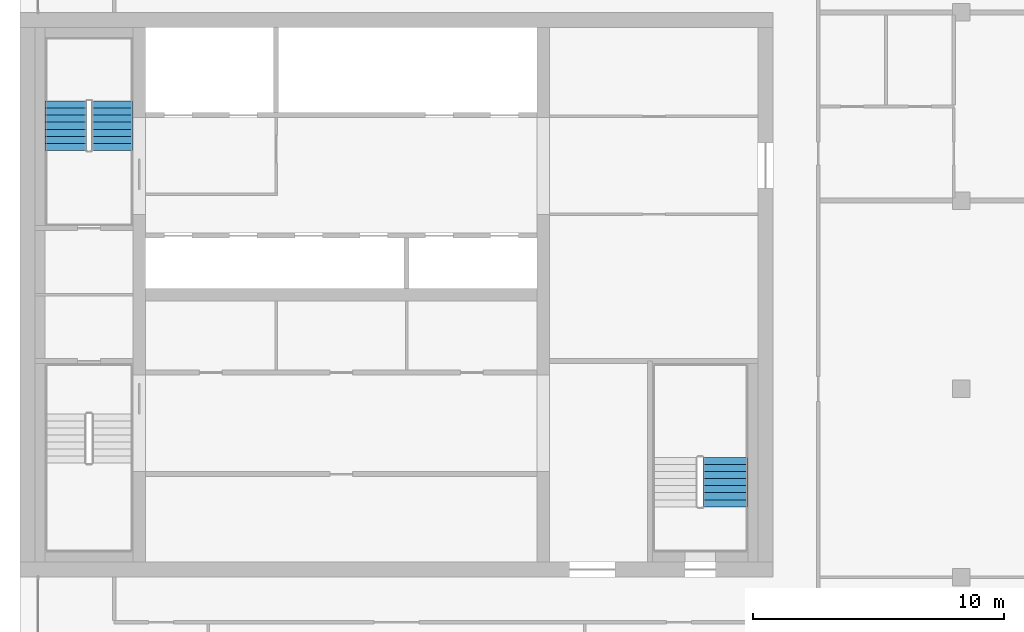
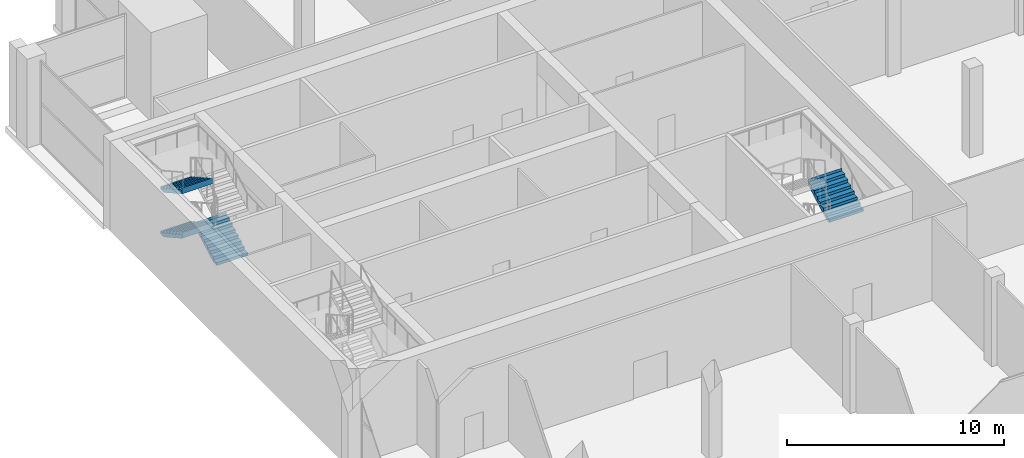
# One storey, part 12 of 15: 4 stair flights, 2 elements without a shape of their own.
"""IFC4 building model written with IfcOpenShell, lengths in metres."""

from ifc_helpers import new_model, si_unit, direction, frame, origin, place, context, subcontext, project, spatial, polyline, outline, extrude, material, type_object, element, aggregate, save


model = new_model("IFC4")

# Units and contexts
model_context = context("Model", 3, precision=1e-05, world=origin(), true_north=direction((0.0, 1.0)))
body_context = subcontext(model_context, "Body", "Model", "MODEL_VIEW")
ifc_project = project(units=[si_unit("LENGTHUNIT", "METRE"), si_unit("AREAUNIT", "SQUARE_METRE"), si_unit("VOLUMEUNIT", "CUBIC_METRE"), si_unit("PLANEANGLEUNIT", "RADIAN"), si_unit("MASSUNIT", "GRAM", prefix="KILO")], contexts=[model_context])

# Site, building, storey
site_placement = place(None, origin())
site = spatial("IfcSite", under=ifc_project, at=site_placement, CompositionType="ELEMENT")
building_placement = place(site_placement, origin())
building = spatial("IfcBuilding", under=site, at=building_placement, Name="Tamorin Gate", CompositionType="ELEMENT")
storey_placement = place(building_placement, frame((0.0, 0.0, 287.199951171875)))
storey = spatial("IfcBuildingStorey", under=building, at=storey_placement, Name="L72", CompositionType="ELEMENT", Elevation=287.199951171875)

# Stair, stair flights
ifc_material = material(Name="Concrete C40/50", Category="concrete")
stair_type = type_object("IfcStairType", Name="Exit stair", PredefinedType="HALF_TURN_STAIR", material=ifc_material)
stair_1_placement = place(storey_placement, origin())
stair_1 = element("IfcStair", 1, at=stair_1_placement, inside=storey, type_object=stair_type, Name="L72 stair ST2", PredefinedType="HALF_TURN_STAIR")
stair_flight_type = type_object("IfcStairFlightType", Name="Exit stair flight", PredefinedType="STRAIGHT", material=ifc_material)
stair_flight_1_placement = place(storey_placement, frame((33.675048828125, 77.0, 0.0), z_axis=(0.0, 0.0, 1.0), x_axis=(0.0, 1.0, 0.0)))
stair_flight_1 = element("IfcStairFlight", 2, at=stair_flight_1_placement, type_object=stair_flight_type, Name="ST2 flight 1", NumberOfRisers=8, NumberOfTreads=7, PredefinedType="STRAIGHT", RiserHeight=0.15625, TreadLength=0.28, context=body_context, shape_type="SweptSolid", body=[
    extrude(outline(polyline([(-0.00048828125, 0.0), (-0.00048828125, 0.00146484375), (-0.00048828125, 0.003173828125), (-0.00048828125, 0.004638671875), (-0.00048828125, 0.006103515625), (-0.00048828125, 0.0078125), (-0.00048828125, 0.00927734375), (-0.00048828125, 0.0107421875), (-0.00048828125, 0.012451171875), (-0.00048828125, 0.013916015625), (-0.00048828125, 0.015380859375), (-0.00048828125, 0.01708984375), (-0.00048828125, 0.0185546875), (-0.00048828125, 0.02001953125), (-0.00048828125, 0.021728515625), (-0.00048828125, 0.023193359375), (-0.00048828125, 0.024658203125), (-0.00048828125, 0.0263671875), (-0.00048828125, 0.02783203125), (-0.00048828125, 0.029296875), (-0.00048828125, 0.031005859375), (-0.00048828125, 0.032470703125), (-0.00048828125, 0.033935546875), (-0.00048828125, 0.03564453125), (-0.00048828125, 0.037109375), (-0.00048828125, 0.03857421875), (-0.00048828125, 0.040283203125), (-0.00048828125, 0.041748046875), (-0.00048828125, 0.043212890625), (-0.00048828125, 0.044921875), (-0.00048828125, 0.04638671875), (-0.00048828125, 0.0478515625), (-0.00048828125, 0.049560546875), (-0.00048828125, 0.051025390625), (-0.00048828125, 0.052490234375), (-0.00048828125, 0.05419921875), (-0.00048828125, 0.0556640625), (-0.00048828125, 0.05712890625), (-0.00048828125, 0.058837890625), (-0.00048828125, 0.060302734375), (-0.00048828125, 0.061767578125), (-0.00048828125, 0.0634765625), (-0.00048828125, 0.06494140625), (-0.00048828125, 0.06640625), (-0.00048828125, 0.068115234375), (-0.00048828125, 0.069580078125), (-0.00048828125, 0.071044921875), (-0.00048828125, 0.07275390625), (-0.00048828125, 0.07421875), (-0.00048828125, 0.07568359375), (-0.00048828125, 0.077392578125), (-0.00048828125, 0.078857421875), (-0.00048828125, 0.08056640625), (-0.00048828125, 0.08203125), (-0.00048828125, 0.08349609375), (-0.00048828125, 0.085205078125), (-0.00048828125, 0.086669921875), (-0.00048828125, 0.088134765625), (-0.00048828125, 0.08984375), (-0.00048828125, 0.09130859375), (-0.00048828125, 0.0927734375), (-0.00048828125, 0.094482421875), (-0.00048828125, 0.095947265625), (-0.00048828125, 0.097412109375), (-0.00048828125, 0.09912109375), (-0.00048828125, 0.1005859375), (-0.00048828125, 0.10205078125), (-0.00048828125, 0.103759765625), (-0.00048828125, 0.105224609375), (-0.00048828125, 0.106689453125), (-0.00048828125, 0.1083984375), (-0.00048828125, 0.10986328125), (-0.00048828125, 0.111328125), (-0.00048828125, 0.113037109375), (-0.00048828125, 0.114501953125), (-0.00048828125, 0.115966796875), (-0.00048828125, 0.11767578125), (-0.00048828125, 0.119140625), (-0.00048828125, 0.12060546875), (-0.00048828125, 0.122314453125), (-0.00048828125, 0.123779296875), (-0.00048828125, 0.125244140625), (-0.00048828125, 0.126953125), (-0.00048828125, 0.12841796875), (-0.00048828125, 0.1298828125), (-0.00048828125, 0.131591796875), (-0.00048828125, 0.133056640625), (-0.00048828125, 0.134521484375), (-0.00048828125, 0.13623046875), (-0.00048828125, 0.1376953125), (-0.00048828125, 0.13916015625), (-0.00048828125, 0.140869140625), (-0.00048828125, 0.142333984375), (-0.00048828125, 0.143798828125), (-0.00048828125, 0.1455078125), (-0.00048828125, 0.14697265625), (-0.00048828125, 0.1484375), (-0.00048828125, 0.150146484375), (-0.00048828125, 0.151611328125), (-0.00048828125, 0.153076171875), (-0.00048828125, 0.15478515625), (-0.00048828125, 0.15625), (0.280029296875, 0.15625), (0.280029296875, 0.3125), (0.56005859375, 0.3125), (0.56005859375, 0.46875), (0.840087890625, 0.46875), (0.840087890625, 0.625), (1.1201171875, 0.625), (1.1201171875, 0.78125), (1.39990234375, 0.78125), (1.39990234375, 0.9375), (1.679931640625, 0.9375), (1.679931640625, 1.09375), (1.9599609375, 1.09375), (1.9599609375, 1.25), (1.96044921875, 1.25), (1.96044921875, 1.246826171875), (1.96044921875, 1.243408203125), (1.96044921875, 1.240234375), (1.96044921875, 1.237060546875), (1.96044921875, 1.23388671875), (1.96044921875, 1.23046875), (1.96044921875, 1.227294921875), (1.96044921875, 1.22412109375), (1.96044921875, 1.220703125), (1.96044921875, 1.217529296875), (1.96044921875, 1.21435546875), (1.96044921875, 1.2109375), (1.96044921875, 1.207763671875), (1.96044921875, 1.20458984375), (1.96044921875, 1.201416015625), (1.96044921875, 1.197998046875), (1.96044921875, 1.19482421875), (1.96044921875, 1.191650390625), (1.96044921875, 1.188232421875), (1.96044921875, 1.18505859375), (1.96044921875, 1.181884765625), (1.96044921875, 1.178466796875), (1.96044921875, 1.17529296875), (1.96044921875, 1.172119140625), (1.96044921875, 1.1689453125), (1.96044921875, 1.16552734375), (1.96044921875, 1.162353515625), (1.96044921875, 1.1591796875), (1.96044921875, 1.15576171875), (1.96044921875, 1.152587890625), (1.96044921875, 1.1494140625), (1.96044921875, 1.14599609375), (1.96044921875, 1.142822265625), (1.96044921875, 1.1396484375), (1.96044921875, 1.136474609375), (1.96044921875, 1.133056640625), (1.96044921875, 1.1298828125), (1.96044921875, 1.126708984375), (1.96044921875, 1.123291015625), (1.96044921875, 1.1201171875), (1.96044921875, 1.116943359375), (1.96044921875, 1.113525390625), (1.96044921875, 1.1103515625), (1.96044921875, 1.107177734375), (1.96044921875, 1.10400390625), (1.96044921875, 1.1005859375), (1.96044921875, 1.097412109375), (1.96044921875, 1.09423828125), (1.96044921875, 1.0908203125), (1.96044921875, 1.087646484375), (1.96044921875, 1.08447265625), (1.96044921875, 1.0810546875), (1.96044921875, 1.077880859375), (1.96044921875, 1.07470703125), (1.96044921875, 1.071533203125), (1.96044921875, 1.068115234375), (1.96044921875, 1.06494140625), (1.96044921875, 1.061767578125), (1.96044921875, 1.058349609375), (1.96044921875, 1.05517578125), (1.96044921875, 1.052001953125), (1.96044921875, 1.048828125), (1.96044921875, 1.04541015625), (1.96044921875, 1.042236328125), (1.96044921875, 1.0390625), (1.96044921875, 1.03564453125), (1.96044921875, 1.032470703125), (1.96044921875, 1.029296875), (1.96044921875, 1.02587890625), (1.96044921875, 1.022705078125), (1.96044921875, 1.01953125), (1.96044921875, 1.016357421875), (1.96044921875, 1.012939453125), (1.96044921875, 1.009765625), (1.96044921875, 1.006591796875), (1.96044921875, 1.003173828125), (1.96044921875, 1.0), (1.96044921875, 0.996826171875), (1.96044921875, 0.993408203125), (1.96044921875, 0.990234375), (1.96044921875, 0.987060546875), (1.96044921875, 0.98388671875), (1.96044921875, 0.98046875), (1.96044921875, 0.977294921875), (1.96044921875, 0.97412109375), (1.96044921875, 0.970703125), (1.96044921875, 0.967529296875), (1.96044921875, 0.96435546875), (1.96044921875, 0.9609375), (1.96044921875, 0.957763671875), (1.96044921875, 0.95458984375), (1.96044921875, 0.951416015625), (1.96044921875, 0.947998046875), (1.96044921875, 0.94482421875), (1.96044921875, 0.941650390625), (1.96044921875, 0.938232421875), (1.96044921875, 0.93505859375), (1.96044921875, 0.931884765625), (1.96044921875, 0.928466796875), (1.96044921875, 0.92529296875), (1.96044921875, 0.922119140625), (1.9599609375, 0.922119140625), (0.3076171875, 0.0), (-0.00048828125, 0.0)])), frame((0.0, 0.824951171875, 0.0), z_axis=(0.0, -1.0, 0.0), x_axis=(1.0, 0.0, 0.0)), (0.0, 0.0, 1.0), 1.64990234375),
])
stair_flight_2_placement = place(storey_placement, frame((31.824951171875, 78.9599609375, 1.25), z_axis=(0.0, 0.0, 1.0), x_axis=(0.0, -1.0, 0.0)))
stair_flight_2 = element("IfcStairFlight", 3, at=stair_flight_2_placement, type_object=stair_flight_type, Name="ST2 flight 2", NumberOfRisers=8, NumberOfTreads=7, PredefinedType="STRAIGHT", RiserHeight=0.15625, TreadLength=0.28, context=body_context, shape_type="SweptSolid", body=[
    extrude(outline(polyline([(-0.00048828125, 0.0), (-0.00048828125, 0.00146484375), (-0.00048828125, 0.003173828125), (-0.00048828125, 0.004638671875), (-0.00048828125, 0.006103515625), (-0.00048828125, 0.0078125), (-0.00048828125, 0.00927734375), (-0.00048828125, 0.0107421875), (-0.00048828125, 0.012451171875), (-0.00048828125, 0.013916015625), (-0.00048828125, 0.015380859375), (-0.00048828125, 0.01708984375), (-0.00048828125, 0.0185546875), (-0.00048828125, 0.02001953125), (-0.00048828125, 0.021728515625), (-0.00048828125, 0.023193359375), (-0.00048828125, 0.024658203125), (-0.00048828125, 0.0263671875), (-0.00048828125, 0.02783203125), (-0.00048828125, 0.029296875), (-0.00048828125, 0.031005859375), (-0.00048828125, 0.032470703125), (-0.00048828125, 0.033935546875), (-0.00048828125, 0.03564453125), (-0.00048828125, 0.037109375), (-0.00048828125, 0.03857421875), (-0.00048828125, 0.040283203125), (-0.00048828125, 0.041748046875), (-0.00048828125, 0.043212890625), (-0.00048828125, 0.044921875), (-0.00048828125, 0.04638671875), (-0.00048828125, 0.0478515625), (-0.00048828125, 0.049560546875), (-0.00048828125, 0.051025390625), (-0.00048828125, 0.052490234375), (-0.00048828125, 0.05419921875), (-0.00048828125, 0.0556640625), (-0.00048828125, 0.05712890625), (-0.00048828125, 0.058837890625), (-0.00048828125, 0.060302734375), (-0.00048828125, 0.061767578125), (-0.00048828125, 0.0634765625), (-0.00048828125, 0.06494140625), (-0.00048828125, 0.06640625), (-0.00048828125, 0.068115234375), (-0.00048828125, 0.069580078125), (-0.00048828125, 0.071044921875), (-0.00048828125, 0.07275390625), (-0.00048828125, 0.07421875), (-0.00048828125, 0.07568359375), (-0.00048828125, 0.077392578125), (-0.00048828125, 0.078857421875), (-0.00048828125, 0.08056640625), (-0.00048828125, 0.08203125), (-0.00048828125, 0.08349609375), (-0.00048828125, 0.085205078125), (-0.00048828125, 0.086669921875), (-0.00048828125, 0.088134765625), (-0.00048828125, 0.08984375), (-0.00048828125, 0.09130859375), (-0.00048828125, 0.0927734375), (-0.00048828125, 0.094482421875), (-0.00048828125, 0.095947265625), (-0.00048828125, 0.097412109375), (-0.00048828125, 0.09912109375), (-0.00048828125, 0.1005859375), (-0.00048828125, 0.10205078125), (-0.00048828125, 0.103759765625), (-0.00048828125, 0.105224609375), (-0.00048828125, 0.106689453125), (-0.00048828125, 0.1083984375), (-0.00048828125, 0.10986328125), (-0.00048828125, 0.111328125), (-0.00048828125, 0.113037109375), (-0.00048828125, 0.114501953125), (-0.00048828125, 0.115966796875), (-0.00048828125, 0.11767578125), (-0.00048828125, 0.119140625), (-0.00048828125, 0.12060546875), (-0.00048828125, 0.122314453125), (-0.00048828125, 0.123779296875), (-0.00048828125, 0.125244140625), (-0.00048828125, 0.126953125), (-0.00048828125, 0.12841796875), (-0.00048828125, 0.1298828125), (-0.00048828125, 0.131591796875), (-0.00048828125, 0.133056640625), (-0.00048828125, 0.134521484375), (-0.00048828125, 0.13623046875), (-0.00048828125, 0.1376953125), (-0.00048828125, 0.13916015625), (-0.00048828125, 0.140869140625), (-0.00048828125, 0.142333984375), (-0.00048828125, 0.143798828125), (-0.00048828125, 0.1455078125), (-0.00048828125, 0.14697265625), (-0.00048828125, 0.1484375), (-0.00048828125, 0.150146484375), (-0.00048828125, 0.151611328125), (-0.00048828125, 0.153076171875), (-0.00048828125, 0.15478515625), (-0.00048828125, 0.15625), (0.280029296875, 0.15625), (0.280029296875, 0.3125), (0.56005859375, 0.3125), (0.56005859375, 0.46875), (0.840087890625, 0.46875), (0.840087890625, 0.625), (1.1201171875, 0.625), (1.1201171875, 0.78125), (1.39990234375, 0.78125), (1.39990234375, 0.9375), (1.679931640625, 0.9375), (1.679931640625, 1.09375), (1.9599609375, 1.09375), (1.9599609375, 1.25), (1.96044921875, 1.25), (1.96044921875, 1.246826171875), (1.96044921875, 1.243408203125), (1.96044921875, 1.240234375), (1.96044921875, 1.237060546875), (1.96044921875, 1.23388671875), (1.96044921875, 1.23046875), (1.96044921875, 1.227294921875), (1.96044921875, 1.22412109375), (1.96044921875, 1.220703125), (1.96044921875, 1.217529296875), (1.96044921875, 1.21435546875), (1.96044921875, 1.2109375), (1.96044921875, 1.207763671875), (1.96044921875, 1.20458984375), (1.96044921875, 1.201416015625), (1.96044921875, 1.197998046875), (1.96044921875, 1.19482421875), (1.96044921875, 1.191650390625), (1.96044921875, 1.188232421875), (1.96044921875, 1.18505859375), (1.96044921875, 1.181884765625), (1.96044921875, 1.178466796875), (1.96044921875, 1.17529296875), (1.96044921875, 1.172119140625), (1.96044921875, 1.1689453125), (1.96044921875, 1.16552734375), (1.96044921875, 1.162353515625), (1.96044921875, 1.1591796875), (1.96044921875, 1.15576171875), (1.96044921875, 1.152587890625), (1.96044921875, 1.1494140625), (1.96044921875, 1.14599609375), (1.96044921875, 1.142822265625), (1.96044921875, 1.1396484375), (1.96044921875, 1.136474609375), (1.96044921875, 1.133056640625), (1.96044921875, 1.1298828125), (1.96044921875, 1.126708984375), (1.96044921875, 1.123291015625), (1.96044921875, 1.1201171875), (1.96044921875, 1.116943359375), (1.96044921875, 1.113525390625), (1.96044921875, 1.1103515625), (1.96044921875, 1.107177734375), (1.96044921875, 1.10400390625), (1.96044921875, 1.1005859375), (1.96044921875, 1.097412109375), (1.96044921875, 1.09423828125), (1.96044921875, 1.0908203125), (1.96044921875, 1.087646484375), (1.96044921875, 1.08447265625), (1.96044921875, 1.0810546875), (1.96044921875, 1.077880859375), (1.96044921875, 1.07470703125), (1.96044921875, 1.071533203125), (1.96044921875, 1.068115234375), (1.96044921875, 1.06494140625), (1.96044921875, 1.061767578125), (1.96044921875, 1.058349609375), (1.96044921875, 1.05517578125), (1.96044921875, 1.052001953125), (1.96044921875, 1.048828125), (1.96044921875, 1.04541015625), (1.96044921875, 1.042236328125), (1.96044921875, 1.0390625), (1.96044921875, 1.03564453125), (1.96044921875, 1.032470703125), (1.96044921875, 1.029296875), (1.96044921875, 1.02587890625), (1.96044921875, 1.022705078125), (1.96044921875, 1.01953125), (1.96044921875, 1.016357421875), (1.96044921875, 1.012939453125), (1.96044921875, 1.009765625), (1.96044921875, 1.006591796875), (1.96044921875, 1.003173828125), (1.96044921875, 1.0), (1.96044921875, 0.996826171875), (1.96044921875, 0.993408203125), (1.96044921875, 0.990234375), (1.96044921875, 0.987060546875), (1.96044921875, 0.98388671875), (1.96044921875, 0.98046875), (1.96044921875, 0.977294921875), (1.96044921875, 0.97412109375), (1.96044921875, 0.970703125), (1.96044921875, 0.967529296875), (1.96044921875, 0.96435546875), (1.96044921875, 0.9609375), (1.96044921875, 0.957763671875), (1.96044921875, 0.95458984375), (1.96044921875, 0.951416015625), (1.96044921875, 0.947998046875), (1.96044921875, 0.94482421875), (1.96044921875, 0.941650390625), (1.96044921875, 0.938232421875), (1.96044921875, 0.93505859375), (1.96044921875, 0.931884765625), (1.96044921875, 0.928466796875), (1.96044921875, 0.92529296875), (1.96044921875, 0.922119140625), (1.9599609375, 0.922119140625), (0.3076171875, 0.0), (-0.00048828125, 0.0)])), frame((0.0, 0.824951171875, 0.0), z_axis=(0.0, -1.0, 0.0), x_axis=(1.0, 0.0, 0.0)), (0.0, 0.0, 1.0), 1.64990234375),
])
stair_flight_3_placement = place(storey_placement, frame((31.824951171875, 78.9599609375, 3.75), z_axis=(0.0, 0.0, 1.0), x_axis=(0.0, -1.0, 0.0)))
stair_flight_3 = element("IfcStairFlight", 4, at=stair_flight_3_placement, type_object=stair_flight_type, Name="ST2 flight 4", NumberOfRisers=8, NumberOfTreads=7, PredefinedType="STRAIGHT", RiserHeight=0.15625, TreadLength=0.28, context=body_context, shape_type="SweptSolid", body=[
    extrude(outline(polyline([(-0.00048828125, 0.0), (-0.00048828125, 0.00146484375), (-0.00048828125, 0.003173828125), (-0.00048828125, 0.004638671875), (-0.00048828125, 0.006103515625), (-0.00048828125, 0.0078125), (-0.00048828125, 0.00927734375), (-0.00048828125, 0.0107421875), (-0.00048828125, 0.012451171875), (-0.00048828125, 0.013916015625), (-0.00048828125, 0.015380859375), (-0.00048828125, 0.01708984375), (-0.00048828125, 0.0185546875), (-0.00048828125, 0.02001953125), (-0.00048828125, 0.021728515625), (-0.00048828125, 0.023193359375), (-0.00048828125, 0.024658203125), (-0.00048828125, 0.0263671875), (-0.00048828125, 0.02783203125), (-0.00048828125, 0.029296875), (-0.00048828125, 0.031005859375), (-0.00048828125, 0.032470703125), (-0.00048828125, 0.033935546875), (-0.00048828125, 0.03564453125), (-0.00048828125, 0.037109375), (-0.00048828125, 0.03857421875), (-0.00048828125, 0.040283203125), (-0.00048828125, 0.041748046875), (-0.00048828125, 0.043212890625), (-0.00048828125, 0.044921875), (-0.00048828125, 0.04638671875), (-0.00048828125, 0.0478515625), (-0.00048828125, 0.049560546875), (-0.00048828125, 0.051025390625), (-0.00048828125, 0.052490234375), (-0.00048828125, 0.05419921875), (-0.00048828125, 0.0556640625), (-0.00048828125, 0.05712890625), (-0.00048828125, 0.058837890625), (-0.00048828125, 0.060302734375), (-0.00048828125, 0.061767578125), (-0.00048828125, 0.0634765625), (-0.00048828125, 0.06494140625), (-0.00048828125, 0.06640625), (-0.00048828125, 0.068115234375), (-0.00048828125, 0.069580078125), (-0.00048828125, 0.071044921875), (-0.00048828125, 0.07275390625), (-0.00048828125, 0.07421875), (-0.00048828125, 0.07568359375), (-0.00048828125, 0.077392578125), (-0.00048828125, 0.078857421875), (-0.00048828125, 0.08056640625), (-0.00048828125, 0.08203125), (-0.00048828125, 0.08349609375), (-0.00048828125, 0.085205078125), (-0.00048828125, 0.086669921875), (-0.00048828125, 0.088134765625), (-0.00048828125, 0.08984375), (-0.00048828125, 0.09130859375), (-0.00048828125, 0.0927734375), (-0.00048828125, 0.094482421875), (-0.00048828125, 0.095947265625), (-0.00048828125, 0.097412109375), (-0.00048828125, 0.09912109375), (-0.00048828125, 0.1005859375), (-0.00048828125, 0.10205078125), (-0.00048828125, 0.103759765625), (-0.00048828125, 0.105224609375), (-0.00048828125, 0.106689453125), (-0.00048828125, 0.1083984375), (-0.00048828125, 0.10986328125), (-0.00048828125, 0.111328125), (-0.00048828125, 0.113037109375), (-0.00048828125, 0.114501953125), (-0.00048828125, 0.115966796875), (-0.00048828125, 0.11767578125), (-0.00048828125, 0.119140625), (-0.00048828125, 0.12060546875), (-0.00048828125, 0.122314453125), (-0.00048828125, 0.123779296875), (-0.00048828125, 0.125244140625), (-0.00048828125, 0.126953125), (-0.00048828125, 0.12841796875), (-0.00048828125, 0.1298828125), (-0.00048828125, 0.131591796875), (-0.00048828125, 0.133056640625), (-0.00048828125, 0.134521484375), (-0.00048828125, 0.13623046875), (-0.00048828125, 0.1376953125), (-0.00048828125, 0.13916015625), (-0.00048828125, 0.140869140625), (-0.00048828125, 0.142333984375), (-0.00048828125, 0.143798828125), (-0.00048828125, 0.1455078125), (-0.00048828125, 0.14697265625), (-0.00048828125, 0.1484375), (-0.00048828125, 0.150146484375), (-0.00048828125, 0.151611328125), (-0.00048828125, 0.153076171875), (-0.00048828125, 0.15478515625), (-0.00048828125, 0.15625), (0.280029296875, 0.15625), (0.280029296875, 0.3125), (0.56005859375, 0.3125), (0.56005859375, 0.46875), (0.840087890625, 0.46875), (0.840087890625, 0.625), (1.1201171875, 0.625), (1.1201171875, 0.78125), (1.39990234375, 0.78125), (1.39990234375, 0.9375), (1.679931640625, 0.9375), (1.679931640625, 1.09375), (1.9599609375, 1.09375), (1.9599609375, 1.25), (1.96044921875, 1.25), (1.96044921875, 1.246826171875), (1.96044921875, 1.243408203125), (1.96044921875, 1.240234375), (1.96044921875, 1.237060546875), (1.96044921875, 1.23388671875), (1.96044921875, 1.23046875), (1.96044921875, 1.227294921875), (1.96044921875, 1.22412109375), (1.96044921875, 1.220703125), (1.96044921875, 1.217529296875), (1.96044921875, 1.21435546875), (1.96044921875, 1.2109375), (1.96044921875, 1.207763671875), (1.96044921875, 1.20458984375), (1.96044921875, 1.201416015625), (1.96044921875, 1.197998046875), (1.96044921875, 1.19482421875), (1.96044921875, 1.191650390625), (1.96044921875, 1.188232421875), (1.96044921875, 1.18505859375), (1.96044921875, 1.181884765625), (1.96044921875, 1.178466796875), (1.96044921875, 1.17529296875), (1.96044921875, 1.172119140625), (1.96044921875, 1.1689453125), (1.96044921875, 1.16552734375), (1.96044921875, 1.162353515625), (1.96044921875, 1.1591796875), (1.96044921875, 1.15576171875), (1.96044921875, 1.152587890625), (1.96044921875, 1.1494140625), (1.96044921875, 1.14599609375), (1.96044921875, 1.142822265625), (1.96044921875, 1.1396484375), (1.96044921875, 1.136474609375), (1.96044921875, 1.133056640625), (1.96044921875, 1.1298828125), (1.96044921875, 1.126708984375), (1.96044921875, 1.123291015625), (1.96044921875, 1.1201171875), (1.96044921875, 1.116943359375), (1.96044921875, 1.113525390625), (1.96044921875, 1.1103515625), (1.96044921875, 1.107177734375), (1.96044921875, 1.10400390625), (1.96044921875, 1.1005859375), (1.96044921875, 1.097412109375), (1.96044921875, 1.09423828125), (1.96044921875, 1.0908203125), (1.96044921875, 1.087646484375), (1.96044921875, 1.08447265625), (1.96044921875, 1.0810546875), (1.96044921875, 1.077880859375), (1.96044921875, 1.07470703125), (1.96044921875, 1.071533203125), (1.96044921875, 1.068115234375), (1.96044921875, 1.06494140625), (1.96044921875, 1.061767578125), (1.96044921875, 1.058349609375), (1.96044921875, 1.05517578125), (1.96044921875, 1.052001953125), (1.96044921875, 1.048828125), (1.96044921875, 1.04541015625), (1.96044921875, 1.042236328125), (1.96044921875, 1.0390625), (1.96044921875, 1.03564453125), (1.96044921875, 1.032470703125), (1.96044921875, 1.029296875), (1.96044921875, 1.02587890625), (1.96044921875, 1.022705078125), (1.96044921875, 1.01953125), (1.96044921875, 1.016357421875), (1.96044921875, 1.012939453125), (1.96044921875, 1.009765625), (1.96044921875, 1.006591796875), (1.96044921875, 1.003173828125), (1.96044921875, 1.0), (1.96044921875, 0.996826171875), (1.96044921875, 0.993408203125), (1.96044921875, 0.990234375), (1.96044921875, 0.987060546875), (1.96044921875, 0.98388671875), (1.96044921875, 0.98046875), (1.96044921875, 0.977294921875), (1.96044921875, 0.97412109375), (1.96044921875, 0.970703125), (1.96044921875, 0.967529296875), (1.96044921875, 0.96435546875), (1.96044921875, 0.9609375), (1.96044921875, 0.957763671875), (1.96044921875, 0.95458984375), (1.96044921875, 0.951416015625), (1.96044921875, 0.947998046875), (1.96044921875, 0.94482421875), (1.96044921875, 0.941650390625), (1.96044921875, 0.938232421875), (1.96044921875, 0.93505859375), (1.96044921875, 0.931884765625), (1.96044921875, 0.928466796875), (1.96044921875, 0.92529296875), (1.96044921875, 0.922119140625), (1.9599609375, 0.922119140625), (0.3076171875, 0.0), (-0.00048828125, 0.0)])), frame((0.0, 0.824951171875, 0.0), z_axis=(0.0, -1.0, 0.0), x_axis=(1.0, 0.0, 0.0)), (0.0, 0.0, 1.0), 1.64990234375),
])
aggregate(stair_1, [stair_flight_1, stair_flight_2, stair_flight_3])

# Stair, stair flight
stair_2_placement = place(storey_placement, origin())
stair_2 = element("IfcStair", 5, at=stair_2_placement, inside=storey, type_object=stair_type, Name="L72 stair ST3", PredefinedType="HALF_TURN_STAIR")
stair_flight_4_placement = place(storey_placement, frame((58.10009765625, 62.800048828125, 2.5), z_axis=(0.0, 0.0, 1.0), x_axis=(0.0, 1.0, 0.0)))
stair_flight_4 = element("IfcStairFlight", 6, at=stair_flight_4_placement, type_object=stair_flight_type, Name="ST3 flight 3", NumberOfRisers=8, NumberOfTreads=7, PredefinedType="STRAIGHT", RiserHeight=0.15625, TreadLength=0.28, context=body_context, shape_type="SweptSolid", body=[
    extrude(outline(polyline([(-0.00048828125, 0.0), (-0.00048828125, 0.00146484375), (-0.00048828125, 0.003173828125), (-0.00048828125, 0.004638671875), (-0.00048828125, 0.006103515625), (-0.00048828125, 0.0078125), (-0.00048828125, 0.00927734375), (-0.00048828125, 0.0107421875), (-0.00048828125, 0.012451171875), (-0.00048828125, 0.013916015625), (-0.00048828125, 0.015380859375), (-0.00048828125, 0.01708984375), (-0.00048828125, 0.0185546875), (-0.00048828125, 0.02001953125), (-0.00048828125, 0.021728515625), (-0.00048828125, 0.023193359375), (-0.00048828125, 0.024658203125), (-0.00048828125, 0.0263671875), (-0.00048828125, 0.02783203125), (-0.00048828125, 0.029296875), (-0.00048828125, 0.031005859375), (-0.00048828125, 0.032470703125), (-0.00048828125, 0.033935546875), (-0.00048828125, 0.03564453125), (-0.00048828125, 0.037109375), (-0.00048828125, 0.03857421875), (-0.00048828125, 0.040283203125), (-0.00048828125, 0.041748046875), (-0.00048828125, 0.043212890625), (-0.00048828125, 0.044921875), (-0.00048828125, 0.04638671875), (-0.00048828125, 0.0478515625), (-0.00048828125, 0.049560546875), (-0.00048828125, 0.051025390625), (-0.00048828125, 0.052490234375), (-0.00048828125, 0.05419921875), (-0.00048828125, 0.0556640625), (-0.00048828125, 0.05712890625), (-0.00048828125, 0.058837890625), (-0.00048828125, 0.060302734375), (-0.00048828125, 0.061767578125), (-0.00048828125, 0.0634765625), (-0.00048828125, 0.06494140625), (-0.00048828125, 0.06640625), (-0.00048828125, 0.068115234375), (-0.00048828125, 0.069580078125), (-0.00048828125, 0.071044921875), (-0.00048828125, 0.07275390625), (-0.00048828125, 0.07421875), (-0.00048828125, 0.07568359375), (-0.00048828125, 0.077392578125), (-0.00048828125, 0.078857421875), (-0.00048828125, 0.08056640625), (-0.00048828125, 0.08203125), (-0.00048828125, 0.08349609375), (-0.00048828125, 0.085205078125), (-0.00048828125, 0.086669921875), (-0.00048828125, 0.088134765625), (-0.00048828125, 0.08984375), (-0.00048828125, 0.09130859375), (-0.00048828125, 0.0927734375), (-0.00048828125, 0.094482421875), (-0.00048828125, 0.095947265625), (-0.00048828125, 0.097412109375), (-0.00048828125, 0.09912109375), (-0.00048828125, 0.1005859375), (-0.00048828125, 0.10205078125), (-0.00048828125, 0.103759765625), (-0.00048828125, 0.105224609375), (-0.00048828125, 0.106689453125), (-0.00048828125, 0.1083984375), (-0.00048828125, 0.10986328125), (-0.00048828125, 0.111328125), (-0.00048828125, 0.113037109375), (-0.00048828125, 0.114501953125), (-0.00048828125, 0.115966796875), (-0.00048828125, 0.11767578125), (-0.00048828125, 0.119140625), (-0.00048828125, 0.12060546875), (-0.00048828125, 0.122314453125), (-0.00048828125, 0.123779296875), (-0.00048828125, 0.125244140625), (-0.00048828125, 0.126953125), (-0.00048828125, 0.12841796875), (-0.00048828125, 0.1298828125), (-0.00048828125, 0.131591796875), (-0.00048828125, 0.133056640625), (-0.00048828125, 0.134521484375), (-0.00048828125, 0.13623046875), (-0.00048828125, 0.1376953125), (-0.00048828125, 0.13916015625), (-0.00048828125, 0.140869140625), (-0.00048828125, 0.142333984375), (-0.00048828125, 0.143798828125), (-0.00048828125, 0.1455078125), (-0.00048828125, 0.14697265625), (-0.00048828125, 0.1484375), (-0.00048828125, 0.150146484375), (-0.00048828125, 0.151611328125), (-0.00048828125, 0.153076171875), (-0.00048828125, 0.15478515625), (-0.00048828125, 0.15625), (0.280029296875, 0.15625), (0.280029296875, 0.3125), (0.56005859375, 0.3125), (0.56005859375, 0.46875), (0.840087890625, 0.46875), (0.840087890625, 0.625), (1.1201171875, 0.625), (1.1201171875, 0.78125), (1.39990234375, 0.78125), (1.39990234375, 0.9375), (1.679931640625, 0.9375), (1.679931640625, 1.09375), (1.9599609375, 1.09375), (1.9599609375, 1.25), (1.96044921875, 1.25), (1.96044921875, 1.246826171875), (1.96044921875, 1.243408203125), (1.96044921875, 1.240234375), (1.96044921875, 1.237060546875), (1.96044921875, 1.23388671875), (1.96044921875, 1.23046875), (1.96044921875, 1.227294921875), (1.96044921875, 1.22412109375), (1.96044921875, 1.220703125), (1.96044921875, 1.217529296875), (1.96044921875, 1.21435546875), (1.96044921875, 1.2109375), (1.96044921875, 1.207763671875), (1.96044921875, 1.20458984375), (1.96044921875, 1.201416015625), (1.96044921875, 1.197998046875), (1.96044921875, 1.19482421875), (1.96044921875, 1.191650390625), (1.96044921875, 1.188232421875), (1.96044921875, 1.18505859375), (1.96044921875, 1.181884765625), (1.96044921875, 1.178466796875), (1.96044921875, 1.17529296875), (1.96044921875, 1.172119140625), (1.96044921875, 1.1689453125), (1.96044921875, 1.16552734375), (1.96044921875, 1.162353515625), (1.96044921875, 1.1591796875), (1.96044921875, 1.15576171875), (1.96044921875, 1.152587890625), (1.96044921875, 1.1494140625), (1.96044921875, 1.14599609375), (1.96044921875, 1.142822265625), (1.96044921875, 1.1396484375), (1.96044921875, 1.136474609375), (1.96044921875, 1.133056640625), (1.96044921875, 1.1298828125), (1.96044921875, 1.126708984375), (1.96044921875, 1.123291015625), (1.96044921875, 1.1201171875), (1.96044921875, 1.116943359375), (1.96044921875, 1.113525390625), (1.96044921875, 1.1103515625), (1.96044921875, 1.107177734375), (1.96044921875, 1.10400390625), (1.96044921875, 1.1005859375), (1.96044921875, 1.097412109375), (1.96044921875, 1.09423828125), (1.96044921875, 1.0908203125), (1.96044921875, 1.087646484375), (1.96044921875, 1.08447265625), (1.96044921875, 1.0810546875), (1.96044921875, 1.077880859375), (1.96044921875, 1.07470703125), (1.96044921875, 1.071533203125), (1.96044921875, 1.068115234375), (1.96044921875, 1.06494140625), (1.96044921875, 1.061767578125), (1.96044921875, 1.058349609375), (1.96044921875, 1.05517578125), (1.96044921875, 1.052001953125), (1.96044921875, 1.048828125), (1.96044921875, 1.04541015625), (1.96044921875, 1.042236328125), (1.96044921875, 1.0390625), (1.96044921875, 1.03564453125), (1.96044921875, 1.032470703125), (1.96044921875, 1.029296875), (1.96044921875, 1.02587890625), (1.96044921875, 1.022705078125), (1.96044921875, 1.01953125), (1.96044921875, 1.016357421875), (1.96044921875, 1.012939453125), (1.96044921875, 1.009765625), (1.96044921875, 1.006591796875), (1.96044921875, 1.003173828125), (1.96044921875, 1.0), (1.96044921875, 0.996826171875), (1.96044921875, 0.993408203125), (1.96044921875, 0.990234375), (1.96044921875, 0.987060546875), (1.96044921875, 0.98388671875), (1.96044921875, 0.98046875), (1.96044921875, 0.977294921875), (1.96044921875, 0.97412109375), (1.96044921875, 0.970703125), (1.96044921875, 0.967529296875), (1.96044921875, 0.96435546875), (1.96044921875, 0.9609375), (1.96044921875, 0.957763671875), (1.96044921875, 0.95458984375), (1.96044921875, 0.951416015625), (1.96044921875, 0.947998046875), (1.96044921875, 0.94482421875), (1.96044921875, 0.941650390625), (1.96044921875, 0.938232421875), (1.96044921875, 0.93505859375), (1.96044921875, 0.931884765625), (1.96044921875, 0.928466796875), (1.96044921875, 0.92529296875), (1.96044921875, 0.922119140625), (1.9599609375, 0.922119140625), (0.3076171875, 0.0), (-0.00048828125, 0.0)])), frame((0.0, 0.89990234375, 0.0), z_axis=(0.0, -1.0, 0.0), x_axis=(1.0, 0.0, 0.0)), (0.0, 0.0, 1.0), 1.800048828125),
])
aggregate(stair_2, [stair_flight_4])

save(model, "model.ifc")
